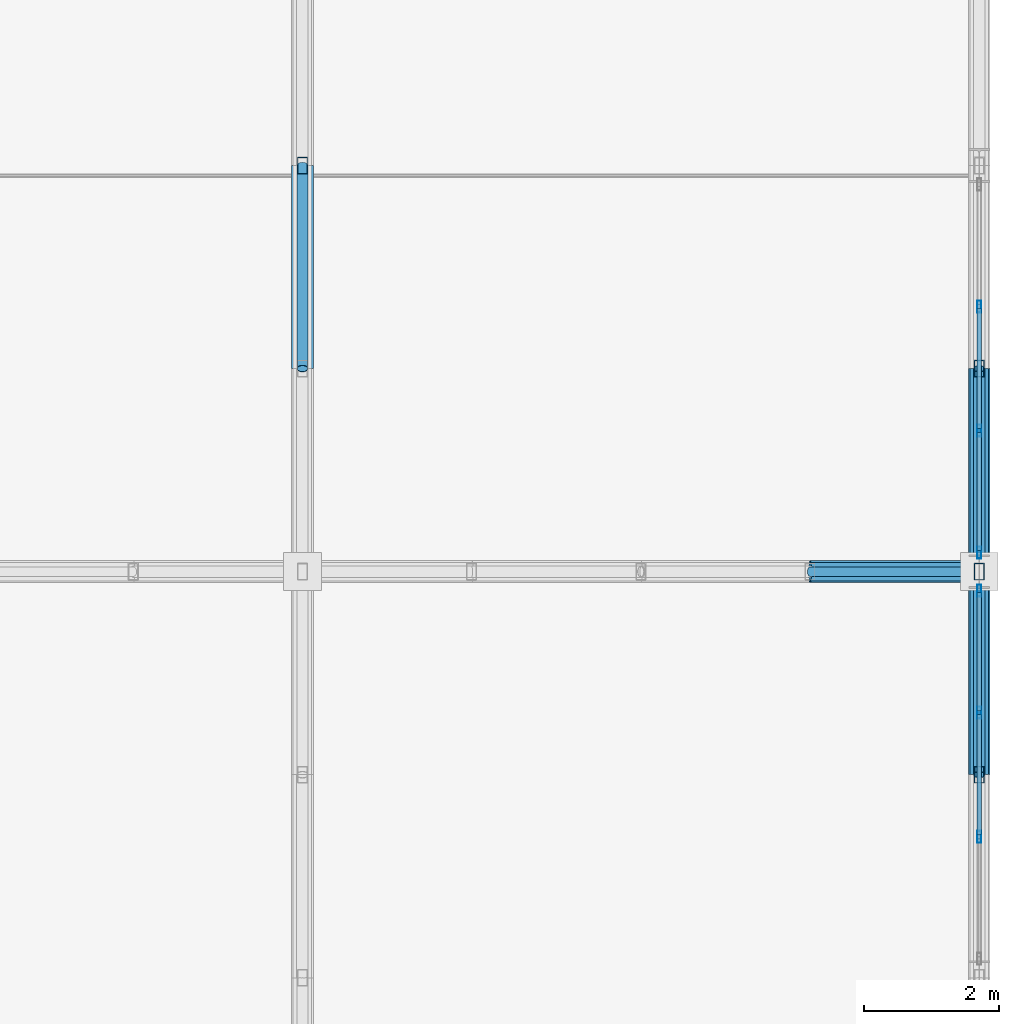
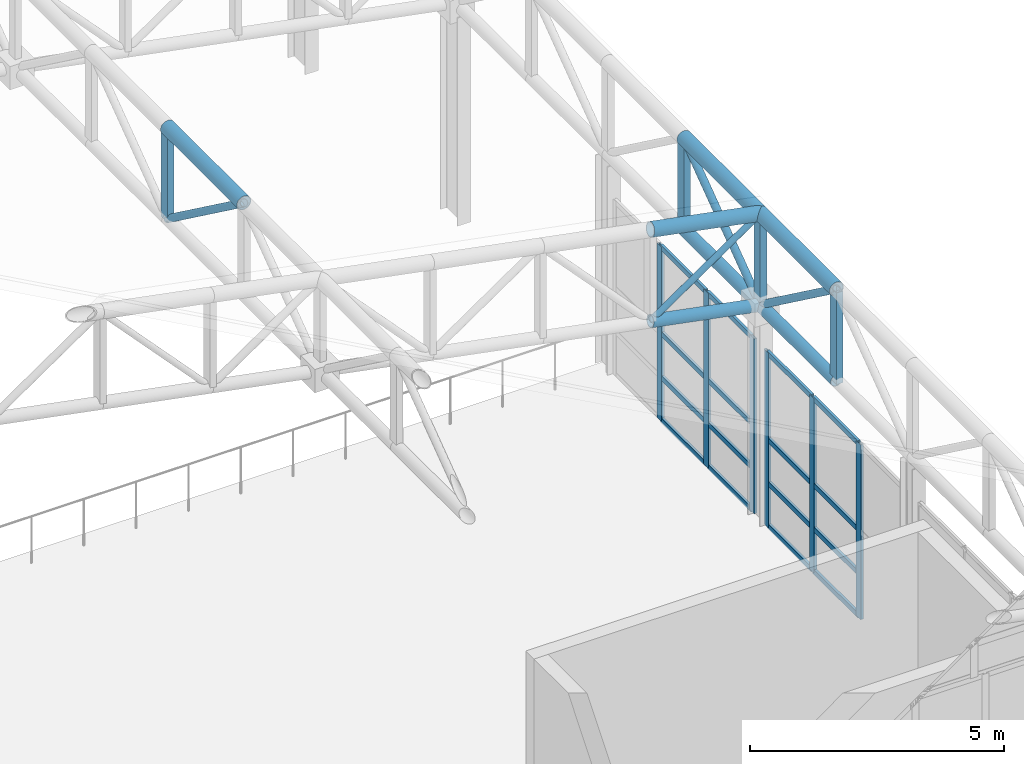
# One storey, part 56 of 112: 37 members, 2 elements without a shape of their own.
"""IFC4 building model written with IfcOpenShell, lengths in metres."""

from ifc_helpers import new_model, si_unit, direction, frame, origin, origin_2d, place, context, subcontext, project, spatial, hollow_rectangle, hollow_circle, extrude, material, material_profile, profile_set, type_object, element, aggregate, save


model = new_model("IFC4")

# Units and contexts
model_context = context("Model", 3, precision=1e-05, world=origin(), true_north=direction((0.0, 1.0)))
body_context = subcontext(model_context, "Body", "Model", "MODEL_VIEW")
ifc_project = project(units=[si_unit("LENGTHUNIT", "METRE"), si_unit("AREAUNIT", "SQUARE_METRE"), si_unit("VOLUMEUNIT", "CUBIC_METRE"), si_unit("PLANEANGLEUNIT", "RADIAN"), si_unit("MASSUNIT", "GRAM", prefix="KILO")], contexts=[model_context])

# Site, building, storey
site_placement = place(None, origin())
site = spatial("IfcSite", under=ifc_project, at=site_placement, CompositionType="ELEMENT")
building_placement = place(site_placement, origin())
building = spatial("IfcBuilding", under=site, at=building_placement, Name="Kaldris Quays Convention Centre", CompositionType="ELEMENT")
storey_placement = place(building_placement, frame((0.0, 0.0, 16.800048828125)))
storey = spatial("IfcBuildingStorey", under=building, at=storey_placement, Name="L03", CompositionType="ELEMENT", Elevation=16.800048828125)

# Curtain wall, members
ifc_material_1 = material(Name="Anodized aluminium AW-6060 and triple glazing", Category="aluminium")
curtain_wall_type = type_object("IfcCurtainWallType", Name="UNITISED CURTAIN WALL CW02", PredefinedType="NOTDEFINED", material=ifc_material_1)
curtain_wall_1_placement = place(storey_placement, origin())
curtain_wall_1 = element("IfcCurtainWall", 1, at=curtain_wall_1_placement, inside=storey, type_object=curtain_wall_type, Name="L03 Unitised Curtain Wall CW02 41", PredefinedType="NOTDEFINED")
ifc_material_2 = material(Name="Anodized aluminium AW-6060", Category="aluminium")
ifc_material_profile_1 = material_profile(ifc_material_2, hollow_rectangle(XDim=0.06005859375, YDim=0.179931640625, WallThickness=0.0048828125, at=origin_2d()), Name="RHS 180x60x5")
ifc_profile_set_1 = profile_set([ifc_material_profile_1], Name="Anodized aluminium AW-6060")
member_type_1 = type_object("IfcMemberType", Name="CURTAIN MULLION CWM2", PredefinedType="MULLION", material=ifc_profile_set_1)
member_1_placement = place(storey_placement, frame((204.0, 64.083251953125, 0.0), z_axis=(0.0, 0.0, 1.0), x_axis=(-1.0, 0.0, 0.0)))
member_1 = element("IfcMember", 2, at=member_1_placement, type_object=member_type_1, Name="CW02 mullion 2", PredefinedType="MULLION", context=body_context, shape_type="SweptSolid", body=[
    extrude(hollow_rectangle(XDim=0.06005859375, YDim=0.179931640625, WallThickness=0.0048828125, at=origin_2d()), origin(), (0.0, 0.0, 1.0), 4.199951171875),
])
member_2_placement = place(storey_placement, frame((204.0, 65.916748046875, 0.0), z_axis=(0.0, 0.0, 1.0), x_axis=(-1.0, 0.0, 0.0)))
member_2 = element("IfcMember", 3, at=member_2_placement, type_object=member_type_1, Name="CW02 mullion 3", PredefinedType="MULLION", context=body_context, shape_type="SweptSolid", body=[
    extrude(hollow_rectangle(XDim=0.06005859375, YDim=0.179931640625, WallThickness=0.0048828125, at=origin_2d()), origin(), (0.0, 0.0, 1.0), 4.199951171875),
])
member_3_placement = place(storey_placement, frame((204.0, 67.719970703125, 0.0), z_axis=(0.0, 0.0, 1.0), x_axis=(-1.0, 0.0, 0.0)))
member_3 = element("IfcMember", 4, at=member_3_placement, type_object=member_type_1, Name="CW02 mullion 4", PredefinedType="MULLION", context=body_context, shape_type="SweptSolid", body=[
    extrude(hollow_rectangle(XDim=0.06005859375, YDim=0.179931640625, WallThickness=0.0048828125, at=origin_2d()), origin(), (0.0, 0.0, 1.0), 4.199951171875),
])

curtain_wall_2_placement = place(storey_placement, origin())
curtain_wall_2 = element("IfcCurtainWall", 5, at=curtain_wall_2_placement, inside=storey, type_object=curtain_wall_type, Name="L03 Unitised Curtain Wall CW02 42", PredefinedType="NOTDEFINED")
member_4_placement = place(storey_placement, frame((204.0, 68.280029296875, 0.0), z_axis=(0.0, 0.0, 1.0), x_axis=(-1.0, 0.0, 0.0)))
member_4 = element("IfcMember", 6, at=member_4_placement, type_object=member_type_1, Name="CW02 mullion 1", PredefinedType="MULLION", context=body_context, shape_type="SweptSolid", body=[
    extrude(hollow_rectangle(XDim=0.06005859375, YDim=0.179931640625, WallThickness=0.0048828125, at=origin_2d()), origin(), (0.0, 0.0, 1.0), 4.199951171875),
])
member_5_placement = place(storey_placement, frame((204.0, 70.083251953125, 0.0), z_axis=(0.0, 0.0, 1.0), x_axis=(-1.0, 0.0, 0.0)))
member_5 = element("IfcMember", 7, at=member_5_placement, type_object=member_type_1, Name="CW02 mullion 2", PredefinedType="MULLION", context=body_context, shape_type="SweptSolid", body=[
    extrude(hollow_rectangle(XDim=0.06005859375, YDim=0.179931640625, WallThickness=0.0048828125, at=origin_2d()), origin(), (0.0, 0.0, 1.0), 4.199951171875),
])
member_6_placement = place(storey_placement, frame((204.0, 71.916748046875, 0.0), z_axis=(0.0, 0.0, 1.0), x_axis=(-1.0, 0.0, 0.0)))
member_6 = element("IfcMember", 8, at=member_6_placement, type_object=member_type_1, Name="CW02 mullion 3", PredefinedType="MULLION", context=body_context, shape_type="SweptSolid", body=[
    extrude(hollow_rectangle(XDim=0.06005859375, YDim=0.179931640625, WallThickness=0.0048828125, at=origin_2d()), origin(), (0.0, 0.0, 1.0), 4.199951171875),
])

# Member
ifc_material_profile_2 = material_profile(ifc_material_2, hollow_rectangle(XDim=0.06005859375, YDim=0.1201171875, WallThickness=0.00390625, at=origin_2d()), Name="RHS 120x60x4")
ifc_profile_set_2 = profile_set([ifc_material_profile_2], Name="Anodized aluminium AW-6060")
member_type_2 = type_object("IfcMemberType", Name="CURTAIN TRANSOM CWT1", PredefinedType="USERDEFINED", material=ifc_profile_set_2)
member_7_placement = place(storey_placement, frame((204.0, 64.11328125, 0.030029296875), z_axis=(0.0, 1.0, 0.0), x_axis=(-1.0, 0.0, 0.0)))
member_7 = element("IfcMember", 9, at=member_7_placement, type_object=member_type_2, Name="CW02 transom 2.1", ObjectType="TRANSOM", PredefinedType="USERDEFINED", context=body_context, shape_type="SweptSolid", body=[
    extrude(hollow_rectangle(XDim=0.06005859375, YDim=0.1201171875, WallThickness=0.00390625, at=origin_2d()), origin(), (0.0, 0.0, 1.0), 1.7734375),
])

member_8_placement = place(storey_placement, frame((204.0, 64.11328125, 1.050048828125), z_axis=(0.0, 1.0, 0.0), x_axis=(-1.0, 0.0, 0.0)))
member_8 = element("IfcMember", 10, at=member_8_placement, type_object=member_type_2, Name="CW02 transom 2.2", ObjectType="TRANSOM", PredefinedType="USERDEFINED", context=body_context, shape_type="SweptSolid", body=[
    extrude(hollow_rectangle(XDim=0.06005859375, YDim=0.1201171875, WallThickness=0.00390625, at=origin_2d()), origin(), (0.0, 0.0, 1.0), 1.7734375),
])

member_9_placement = place(storey_placement, frame((204.0, 64.11328125, 2.099853515625), z_axis=(0.0, 1.0, 0.0), x_axis=(-1.0, 0.0, 0.0)))
member_9 = element("IfcMember", 11, at=member_9_placement, type_object=member_type_2, Name="CW02 transom 2.3", ObjectType="TRANSOM", PredefinedType="USERDEFINED", context=body_context, shape_type="SweptSolid", body=[
    extrude(hollow_rectangle(XDim=0.06005859375, YDim=0.1201171875, WallThickness=0.00390625, at=origin_2d()), origin(), (0.0, 0.0, 1.0), 1.7734375),
])

member_10_placement = place(storey_placement, frame((204.0, 64.11328125, 4.169921875), z_axis=(0.0, 1.0, 0.0), x_axis=(-1.0, 0.0, 0.0)))
member_10 = element("IfcMember", 12, at=member_10_placement, type_object=member_type_2, Name="CW02 transom 2.4", ObjectType="TRANSOM", PredefinedType="USERDEFINED", context=body_context, shape_type="SweptSolid", body=[
    extrude(hollow_rectangle(XDim=0.06005859375, YDim=0.1201171875, WallThickness=0.00390625, at=origin_2d()), origin(), (0.0, 0.0, 1.0), 1.7734375),
])

member_11_placement = place(storey_placement, frame((204.0, 65.94677734375, 0.030029296875), z_axis=(0.0, 1.0, 0.0), x_axis=(-1.0, 0.0, 0.0)))
member_11 = element("IfcMember", 13, at=member_11_placement, type_object=member_type_2, Name="CW02 transom 3.1", ObjectType="TRANSOM", PredefinedType="USERDEFINED", context=body_context, shape_type="SweptSolid", body=[
    extrude(hollow_rectangle(XDim=0.06005859375, YDim=0.1201171875, WallThickness=0.00390625, at=origin_2d()), origin(), (0.0, 0.0, 1.0), 1.7431640625),
])

member_12_placement = place(storey_placement, frame((204.0, 65.94677734375, 1.050048828125), z_axis=(0.0, 1.0, 0.0), x_axis=(-1.0, 0.0, 0.0)))
member_12 = element("IfcMember", 14, at=member_12_placement, type_object=member_type_2, Name="CW02 transom 3.2", ObjectType="TRANSOM", PredefinedType="USERDEFINED", context=body_context, shape_type="SweptSolid", body=[
    extrude(hollow_rectangle(XDim=0.06005859375, YDim=0.1201171875, WallThickness=0.00390625, at=origin_2d()), origin(), (0.0, 0.0, 1.0), 1.7431640625),
])

member_13_placement = place(storey_placement, frame((204.0, 65.94677734375, 2.099853515625), z_axis=(0.0, 1.0, 0.0), x_axis=(-1.0, 0.0, 0.0)))
member_13 = element("IfcMember", 15, at=member_13_placement, type_object=member_type_2, Name="CW02 transom 3.3", ObjectType="TRANSOM", PredefinedType="USERDEFINED", context=body_context, shape_type="SweptSolid", body=[
    extrude(hollow_rectangle(XDim=0.06005859375, YDim=0.1201171875, WallThickness=0.00390625, at=origin_2d()), origin(), (0.0, 0.0, 1.0), 1.7431640625),
])

member_14_placement = place(storey_placement, frame((204.0, 65.94677734375, 4.169921875), z_axis=(0.0, 1.0, 0.0), x_axis=(-1.0, 0.0, 0.0)))
member_14 = element("IfcMember", 16, at=member_14_placement, type_object=member_type_2, Name="CW02 transom 3.4", ObjectType="TRANSOM", PredefinedType="USERDEFINED", context=body_context, shape_type="SweptSolid", body=[
    extrude(hollow_rectangle(XDim=0.06005859375, YDim=0.1201171875, WallThickness=0.00390625, at=origin_2d()), origin(), (0.0, 0.0, 1.0), 1.7431640625),
])

aggregate(curtain_wall_1, [member_1, member_2, member_3, member_7, member_8, member_9, member_10, member_11, member_12, member_13, member_14])

member_15_placement = place(storey_placement, frame((204.0, 68.31005859375, 0.030029296875), z_axis=(0.0, 1.0, 0.0), x_axis=(-1.0, 0.0, 0.0)))
member_15 = element("IfcMember", 17, at=member_15_placement, type_object=member_type_2, Name="CW02 transom 1.1", ObjectType="TRANSOM", PredefinedType="USERDEFINED", context=body_context, shape_type="SweptSolid", body=[
    extrude(hollow_rectangle(XDim=0.06005859375, YDim=0.1201171875, WallThickness=0.00390625, at=origin_2d()), origin(), (0.0, 0.0, 1.0), 1.7431640625),
])

member_16_placement = place(storey_placement, frame((204.0, 68.31005859375, 1.050048828125), z_axis=(0.0, 1.0, 0.0), x_axis=(-1.0, 0.0, 0.0)))
member_16 = element("IfcMember", 18, at=member_16_placement, type_object=member_type_2, Name="CW02 transom 1.2", ObjectType="TRANSOM", PredefinedType="USERDEFINED", context=body_context, shape_type="SweptSolid", body=[
    extrude(hollow_rectangle(XDim=0.06005859375, YDim=0.1201171875, WallThickness=0.00390625, at=origin_2d()), origin(), (0.0, 0.0, 1.0), 1.7431640625),
])

member_17_placement = place(storey_placement, frame((204.0, 68.31005859375, 2.099853515625), z_axis=(0.0, 1.0, 0.0), x_axis=(-1.0, 0.0, 0.0)))
member_17 = element("IfcMember", 19, at=member_17_placement, type_object=member_type_2, Name="CW02 transom 1.3", ObjectType="TRANSOM", PredefinedType="USERDEFINED", context=body_context, shape_type="SweptSolid", body=[
    extrude(hollow_rectangle(XDim=0.06005859375, YDim=0.1201171875, WallThickness=0.00390625, at=origin_2d()), origin(), (0.0, 0.0, 1.0), 1.7431640625),
])

member_18_placement = place(storey_placement, frame((204.0, 68.31005859375, 4.169921875), z_axis=(0.0, 1.0, 0.0), x_axis=(-1.0, 0.0, 0.0)))
member_18 = element("IfcMember", 20, at=member_18_placement, type_object=member_type_2, Name="CW02 transom 1.4", ObjectType="TRANSOM", PredefinedType="USERDEFINED", context=body_context, shape_type="SweptSolid", body=[
    extrude(hollow_rectangle(XDim=0.06005859375, YDim=0.1201171875, WallThickness=0.00390625, at=origin_2d()), origin(), (0.0, 0.0, 1.0), 1.7431640625),
])

member_19_placement = place(storey_placement, frame((204.0, 70.11328125, 0.030029296875), z_axis=(0.0, 1.0, 0.0), x_axis=(-1.0, 0.0, 0.0)))
member_19 = element("IfcMember", 21, at=member_19_placement, type_object=member_type_2, Name="CW02 transom 2.1", ObjectType="TRANSOM", PredefinedType="USERDEFINED", context=body_context, shape_type="SweptSolid", body=[
    extrude(hollow_rectangle(XDim=0.06005859375, YDim=0.1201171875, WallThickness=0.00390625, at=origin_2d()), origin(), (0.0, 0.0, 1.0), 1.7734375),
])

member_20_placement = place(storey_placement, frame((204.0, 70.11328125, 1.050048828125), z_axis=(0.0, 1.0, 0.0), x_axis=(-1.0, 0.0, 0.0)))
member_20 = element("IfcMember", 22, at=member_20_placement, type_object=member_type_2, Name="CW02 transom 2.2", ObjectType="TRANSOM", PredefinedType="USERDEFINED", context=body_context, shape_type="SweptSolid", body=[
    extrude(hollow_rectangle(XDim=0.06005859375, YDim=0.1201171875, WallThickness=0.00390625, at=origin_2d()), origin(), (0.0, 0.0, 1.0), 1.7734375),
])

member_21_placement = place(storey_placement, frame((204.0, 70.11328125, 2.099853515625), z_axis=(0.0, 1.0, 0.0), x_axis=(-1.0, 0.0, 0.0)))
member_21 = element("IfcMember", 23, at=member_21_placement, type_object=member_type_2, Name="CW02 transom 2.3", ObjectType="TRANSOM", PredefinedType="USERDEFINED", context=body_context, shape_type="SweptSolid", body=[
    extrude(hollow_rectangle(XDim=0.06005859375, YDim=0.1201171875, WallThickness=0.00390625, at=origin_2d()), origin(), (0.0, 0.0, 1.0), 1.7734375),
])

member_22_placement = place(storey_placement, frame((204.0, 70.11328125, 4.169921875), z_axis=(0.0, 1.0, 0.0), x_axis=(-1.0, 0.0, 0.0)))
member_22 = element("IfcMember", 24, at=member_22_placement, type_object=member_type_2, Name="CW02 transom 2.4", ObjectType="TRANSOM", PredefinedType="USERDEFINED", context=body_context, shape_type="SweptSolid", body=[
    extrude(hollow_rectangle(XDim=0.06005859375, YDim=0.1201171875, WallThickness=0.00390625, at=origin_2d()), origin(), (0.0, 0.0, 1.0), 1.7734375),
])

aggregate(curtain_wall_2, [member_4, member_5, member_6, member_15, member_16, member_17, member_18, member_19, member_20, member_21, member_22])

# Members
ifc_material_3 = material(Name="Steel S355J2H", Category="steel")
ifc_material_profile_3 = material_profile(ifc_material_3, hollow_circle(Radius=0.161865234375, WallThickness=0.01611328125, at=origin_2d()), Name="CHS 323.9x16")
ifc_profile_set_3 = profile_set([ifc_material_profile_3], Name="Steel S355J2H")
member_type_3 = type_object("IfcMemberType", Name="STRUCTURAL MEMBER SC03", PredefinedType="CHORD", material=ifc_profile_set_3)
member_23_placement = place(storey_placement, frame((201.5, 68.0, 7.812744140625), z_axis=(0.981903710383, 0.0, -0.189380842579), x_axis=(0.0, 1.0, 0.0)))
element("IfcMember", 25, at=member_23_placement, inside=storey, type_object=member_type_3, Name="SF-V2 Top Chord X 30", PredefinedType="CHORD", context=body_context, shape_type="SweptSolid", body=[
    extrude(hollow_circle(Radius=0.161865234375, WallThickness=0.01611328125, at=origin_2d()), origin(), (0.0, 0.0, 1.0), 2.546142578125),
])
for number, where, z_axis, x_axis, name in (
    (26, (194.0, 71.0, 9.25927734375), (0.0, 1.0, 0.0), (-1.0, 0.0, 0.0), "SF-V2 Top Chord Y 129"),
    (27, (204.0, 65.0, 7.33056640625), (0.0, 1.0, 0.0), (-1.0, 0.0, 0.0), "SF-V2 Top Chord Y 143"),
    (28, (204.0, 68.0, 7.33056640625), (0.0, 1.0, 0.0), (-1.0, 0.0, 0.0), "SF-V2 Top Chord Y 144"),
):
    element("IfcMember", number, at=place(storey_placement, frame(where, z_axis=z_axis, x_axis=x_axis)), inside=storey, type_object=member_type_3, Name=name, PredefinedType="CHORD", context=body_context, shape_type="SweptSolid", body=[
        extrude(hollow_circle(Radius=0.161865234375, WallThickness=0.01611328125, at=origin_2d()), origin(), (0.0, 0.0, 1.0), 3.0),
    ])
ifc_material_profile_4 = material_profile(ifc_material_3, hollow_circle(Radius=0.136474609375, WallThickness=0.012451171875, at=origin_2d()), Name="CHS 273x12.5")
ifc_profile_set_4 = profile_set([ifc_material_profile_4], Name="Steel S355J2H")
member_type_4 = type_object("IfcMemberType", Name="STRUCTURAL MEMBER SC04", PredefinedType="CHORD", material=ifc_profile_set_4)
member_24_placement = place(storey_placement, frame((201.5, 68.0, 5.612548828125), z_axis=(0.981903710383, 0.0, -0.189380842579), x_axis=(0.0, 1.0, 0.0)))
element("IfcMember", 29, at=member_24_placement, inside=storey, type_object=member_type_4, Name="SF-V2 Bottom Chord X 30", PredefinedType="CHORD", context=body_context, shape_type="SweptSolid", body=[
    extrude(hollow_circle(Radius=0.136474609375, WallThickness=0.012451171875, at=origin_2d()), origin(), (0.0, 0.0, 1.0), 2.546142578125),
])
for number, where, z_axis, x_axis, name in (
    (30, (204.0, 65.0, 5.13037109375), (0.0, 1.0, 0.0), (-1.0, 0.0, 0.0), "SF-V2 Bottom Chord Y 143"),
    (31, (204.0, 68.0, 5.13037109375), (0.0, 1.0, 0.0), (-1.0, 0.0, 0.0), "SF-V2 Bottom Chord Y 144"),
):
    element("IfcMember", number, at=place(storey_placement, frame(where, z_axis=z_axis, x_axis=x_axis)), inside=storey, type_object=member_type_4, Name=name, PredefinedType="CHORD", context=body_context, shape_type="SweptSolid", body=[
        extrude(hollow_circle(Radius=0.136474609375, WallThickness=0.012451171875, at=origin_2d()), origin(), (0.0, 0.0, 1.0), 3.0),
    ])
ifc_material_profile_5 = material_profile(ifc_material_3, hollow_circle(Radius=0.084228515625, WallThickness=0.008056640625, at=origin_2d()), Name="CHS 168.3x8")
ifc_profile_set_5 = profile_set([ifc_material_profile_5], Name="Steel S355J2H")
member_type_5 = type_object("IfcMemberType", Name="STRUCTURAL MEMBER SWB2", PredefinedType="BRACE", material=ifc_profile_set_5)
for number, where, z_axis, x_axis, name in (
    (32, (194.0, 74.0, 7.059326171875), (0.0, -0.80641125493, 0.591355128432), (1.0, 0.0, 0.0), "SF-V2 Web Diagonal Y 129"),
    (33, (204.0, 68.0, 5.13037109375), (0.0, -0.806379959628, 0.591397802423), (1.0, 0.0, 0.0), "SF-V2 Web Diagonal Y 143"),
    (34, (204.0, 68.0, 5.13037109375), (0.0, 0.806379959628, 0.591397802423), (-1.0, 0.0, 0.0), "SF-V2 Web Diagonal Y 144"),
):
    element("IfcMember", number, at=place(storey_placement, frame(where, z_axis=z_axis, x_axis=x_axis)), inside=storey, type_object=member_type_5, Name=name, PredefinedType="BRACE", context=body_context, shape_type="SweptSolid", body=[
        extrude(hollow_circle(Radius=0.084228515625, WallThickness=0.008056640625, at=origin_2d()), origin(), (0.0, 0.0, 1.0), 3.72021484375),
    ])
ifc_material_profile_6 = material_profile(ifc_material_3, hollow_circle(Radius=0.06982421875, WallThickness=0.00634765625, at=origin_2d()), Name="CHS 139.7x6.3")
ifc_profile_set_6 = profile_set([ifc_material_profile_6], Name="Steel S355J2H")
member_type_6 = type_object("IfcMemberType", Name="STRUCTURAL MEMBER SWB4", PredefinedType="BRACE", material=ifc_profile_set_6)
member_25_placement = place(storey_placement, frame((201.5, 68.0, 5.612548828125), z_axis=(0.824154627976, 0.0, 0.566364855182), x_axis=(0.0, 1.0, 0.0)))
element("IfcMember", 35, at=member_25_placement, inside=storey, type_object=member_type_6, Name="SF-V2 Web Diagonal X 30", PredefinedType="BRACE", context=body_context, shape_type="SweptSolid", body=[
    extrude(hollow_circle(Radius=0.06982421875, WallThickness=0.00634765625, at=origin_2d()), origin(), (0.0, 0.0, 1.0), 3.033447265625),
])
ifc_material_profile_7 = material_profile(ifc_material_3, hollow_rectangle(XDim=0.14990234375, YDim=0.25, WallThickness=0.010009765625, at=origin_2d()), Name="RHS 250x150x10")
ifc_profile_set_7 = profile_set([ifc_material_profile_7], Name="Steel S355J2H")
member_type_7 = type_object("IfcMemberType", Name="STRUCTURAL MEMBER TTV1", PredefinedType="POST", material=ifc_profile_set_7)
member_26_placement = place(storey_placement, frame((194.0, 74.0, 7.059326171875), z_axis=(0.0, 0.0, 1.0), x_axis=(1.0, 0.0, 0.0)))
element("IfcMember", 36, at=member_26_placement, inside=storey, type_object=member_type_7, Name="SF-V2 Space-Frame Post 98", PredefinedType="POST", context=body_context, shape_type="SweptSolid", body=[
    extrude(hollow_rectangle(XDim=0.14990234375, YDim=0.25, WallThickness=0.010009765625, at=origin_2d()), origin(), (0.0, 0.0, 1.0), 2.199951171875),
])
member_27_placement = place(storey_placement, frame((204.0, 65.0, 5.13037109375), z_axis=(0.0, 0.0, 1.0), x_axis=(1.0, 0.0, 0.0)))
element("IfcMember", 37, at=member_27_placement, inside=storey, type_object=member_type_7, Name="SF-V2 Space-Frame Post 127", PredefinedType="POST", context=body_context, shape_type="SweptSolid", body=[
    extrude(hollow_rectangle(XDim=0.14990234375, YDim=0.25, WallThickness=0.010009765625, at=origin_2d()), origin(), (0.0, 0.0, 1.0), 2.2001953125),
])
member_28_placement = place(storey_placement, frame((204.0, 68.0, 4.993896484375), z_axis=(0.0, 0.0, 1.0), x_axis=(1.0, 0.0, 0.0)))
element("IfcMember", 38, at=member_28_placement, inside=storey, type_object=member_type_7, Name="SF-V2 Space-Frame Post 128", PredefinedType="POST", context=body_context, shape_type="SweptSolid", body=[
    extrude(hollow_rectangle(XDim=0.14990234375, YDim=0.25, WallThickness=0.010009765625, at=origin_2d()), origin(), (0.0, 0.0, 1.0), 2.336669921875),
])
member_29_placement = place(storey_placement, frame((204.0, 71.0, 5.13037109375), z_axis=(0.0, 0.0, 1.0), x_axis=(1.0, 0.0, 0.0)))
element("IfcMember", 39, at=member_29_placement, inside=storey, type_object=member_type_7, Name="SF-V2 Space-Frame Post 129", PredefinedType="POST", context=body_context, shape_type="SweptSolid", body=[
    extrude(hollow_rectangle(XDim=0.14990234375, YDim=0.25, WallThickness=0.010009765625, at=origin_2d()), origin(), (0.0, 0.0, 1.0), 2.2001953125),
])

save(model, "model.ifc")
